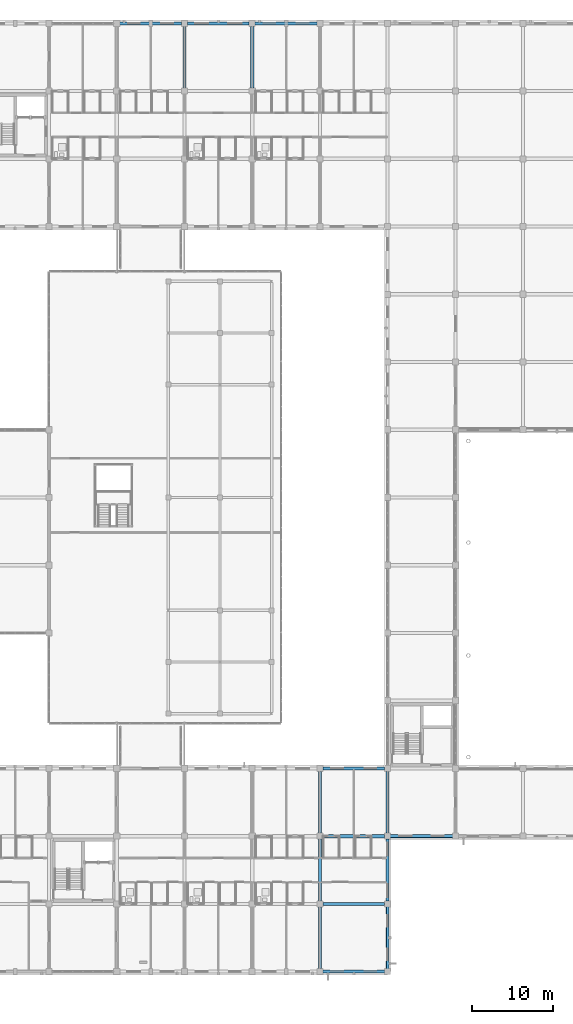
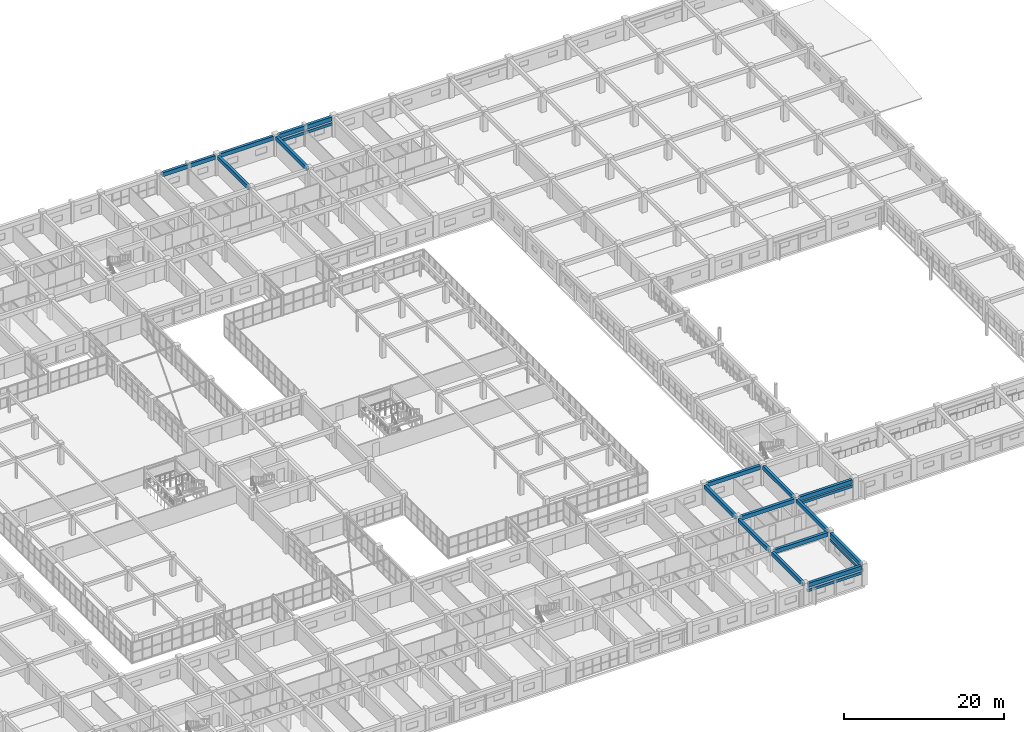
# One storey, part 124 of 200: 20 beams.
"""IFC4 building model written with IfcOpenShell, lengths in metres."""

from ifc_helpers import new_model, si_unit, direction, frame, origin, origin_2d, place, context, subcontext, project, spatial, rectangle, extrude, material, material_profile, profile_set, type_object, element, save


model = new_model("IFC4")

# Units and contexts
model_context = context("Model", 3, precision=1e-05, world=origin(), true_north=direction((0.0, 1.0)))
body_context = subcontext(model_context, "Body", "Model", "MODEL_VIEW")
ifc_project = project(units=[si_unit("LENGTHUNIT", "METRE"), si_unit("AREAUNIT", "SQUARE_METRE"), si_unit("VOLUMEUNIT", "CUBIC_METRE"), si_unit("PLANEANGLEUNIT", "RADIAN"), si_unit("MASSUNIT", "GRAM", prefix="KILO")], contexts=[model_context])

# Site, building, storey
site_placement = place(None, origin())
site = spatial("IfcSite", under=ifc_project, at=site_placement, CompositionType="ELEMENT")
building_placement = place(site_placement, origin())
building = spatial("IfcBuilding", under=site, at=building_placement, Name="Trelvath General Hospital", CompositionType="ELEMENT")
storey_placement = place(building_placement, frame((0.0, 0.0, 4.800048828125)))
storey = spatial("IfcBuildingStorey", under=building, at=storey_placement, Name="L01", CompositionType="ELEMENT", Elevation=4.800048828125)

# Beams
ifc_material_1 = material(Name="Concrete C35/45", Category="concrete")
ifc_material_profile_1 = material_profile(ifc_material_1, rectangle(XDim=0.3798828125, YDim=0.580078125, at=origin_2d()), Name="RCB380x580")
ifc_profile_set_1 = profile_set([ifc_material_profile_1], Name="Concrete C35/45")
beam_type_1 = type_object("IfcBeamType", Name="Beam RC380x580", PredefinedType="BEAM", material=ifc_profile_set_1)
for number, where, z_axis, x_axis, name in (
    (1, (109.199951171875, 109.574951171875, 2.72998046875), (0.0, 1.0, 0.0), (-1.0, 0.0, 0.0), "Grid Beam BY-113N"),
    (2, (117.60009765625, 109.574951171875, 2.72998046875), (0.0, 1.0, 0.0), (-1.0, 0.0, 0.0), "Grid Beam BY-114N"),
):
    element("IfcBeam", number, at=place(storey_placement, frame(where, z_axis=z_axis, x_axis=x_axis)), inside=storey, type_object=beam_type_1, Name=name, PredefinedType="BEAM", context=body_context, shape_type="SweptSolid", body=[
        extrude(rectangle(XDim=0.3798828125, YDim=0.580078125, at=origin_2d()), origin(), (0.0, 0.0, 1.0), 7.655029296875),
    ])
beam_1_placement = place(storey_placement, frame((126.0, 0.3701171875, 2.72998046875), z_axis=(0.0, 1.0, 0.0), x_axis=(-1.0, 0.0, 0.0)))
element("IfcBeam", 3, at=beam_1_placement, inside=storey, type_object=beam_type_1, Name="Grid Beam BY-115A", PredefinedType="BEAM", context=body_context, shape_type="SweptSolid", body=[
    extrude(rectangle(XDim=0.3798828125, YDim=0.580078125, at=origin_2d()), origin(), (0.0, 0.0, 1.0), 7.65478515625),
])
beam_2_placement = place(storey_placement, frame((126.0, 8.77490234375, 2.72998046875), z_axis=(0.0, 1.0, 0.0), x_axis=(-1.0, 0.0, 0.0)))
element("IfcBeam", 4, at=beam_2_placement, inside=storey, type_object=beam_type_1, Name="Grid Beam BY-115B", PredefinedType="BEAM", context=body_context, shape_type="SweptSolid", body=[
    extrude(rectangle(XDim=0.3798828125, YDim=0.580078125, at=origin_2d()), origin(), (0.0, 0.0, 1.0), 7.650146484375),
])
beam_3_placement = place(storey_placement, frame((126.0, 17.175048828125, 2.72998046875), z_axis=(0.0, 1.0, 0.0), x_axis=(-1.0, 0.0, 0.0)))
element("IfcBeam", 5, at=beam_3_placement, inside=storey, type_object=beam_type_1, Name="Grid Beam BY-115C", PredefinedType="BEAM", context=body_context, shape_type="SweptSolid", body=[
    extrude(rectangle(XDim=0.3798828125, YDim=0.580078125, at=origin_2d()), origin(), (0.0, 0.0, 1.0), 7.655029296875),
])
for number, where, z_axis, x_axis, name in (
    (6, (134.39990234375, 0.3701171875, 2.72998046875), (0.0, 1.0, 0.0), (-1.0, 0.0, 0.0), "Grid Beam BY-116A"),
    (7, (134.39990234375, 8.77001953125, 2.72998046875), (0.0, 1.0, 0.0), (-1.0, 0.0, 0.0), "Grid Beam BY-116B"),
):
    element("IfcBeam", number, at=place(storey_placement, frame(where, z_axis=z_axis, x_axis=x_axis)), inside=storey, type_object=beam_type_1, Name=name, PredefinedType="BEAM", context=body_context, shape_type="SweptSolid", body=[
        extrude(rectangle(XDim=0.3798828125, YDim=0.580078125, at=origin_2d()), origin(), (0.0, 0.0, 1.0), 7.659912109375),
    ])
beam_4_placement = place(storey_placement, frame((134.39990234375, 17.169921875, 2.72998046875), z_axis=(0.0, 1.0, 0.0), x_axis=(-1.0, 0.0, 0.0)))
element("IfcBeam", 8, at=beam_4_placement, inside=storey, type_object=beam_type_1, Name="Grid Beam BY-116C", PredefinedType="BEAM", context=body_context, shape_type="SweptSolid", body=[
    extrude(rectangle(XDim=0.3798828125, YDim=0.580078125, at=origin_2d()), origin(), (0.0, 0.0, 1.0), 7.66015625),
])
ifc_material_2 = material(Name="Concrete C35/45", Category="concrete")
ifc_material_profile_2 = material_profile(ifc_material_2, rectangle(XDim=0.39990234375, YDim=0.60009765625, at=origin_2d()), Name="RCB400x600")
ifc_profile_set_2 = profile_set([ifc_material_profile_2], Name="Concrete C35/45")
beam_type_2 = type_object("IfcBeamType", Name="Beam RC400x600", PredefinedType="BEAM", material=ifc_profile_set_2)
beam_5_placement = place(storey_placement, frame((101.169921875, 117.60009765625, 2.719970703125), z_axis=(1.0, 0.0, 0.0), x_axis=(0.0, 1.0, 0.0)))
element("IfcBeam", 9, at=beam_5_placement, inside=storey, type_object=beam_type_2, Name="Grid Beam BX-112O", PredefinedType="BEAM", context=body_context, shape_type="SweptSolid", body=[
    extrude(rectangle(XDim=0.39990234375, YDim=0.60009765625, at=origin_2d()), origin(), (0.0, 0.0, 1.0), 7.66015625),
])
for number, where, z_axis, x_axis, name in (
    (10, (109.570068359375, 117.60009765625, 2.719970703125), (1.0, 0.0, 0.0), (0.0, 1.0, 0.0), "Grid Beam BX-113O"),
    (11, (117.969970703125, 117.60009765625, 2.719970703125), (1.0, 0.0, 0.0), (0.0, 1.0, 0.0), "Grid Beam BX-114O"),
    (12, (126.3701171875, 0.0, 2.719970703125), (1.0, 0.0, 0.0), (0.0, 1.0, 0.0), "Grid Beam BX-115A"),
):
    element("IfcBeam", number, at=place(storey_placement, frame(where, z_axis=z_axis, x_axis=x_axis)), inside=storey, type_object=beam_type_2, Name=name, PredefinedType="BEAM", context=body_context, shape_type="SweptSolid", body=[
        extrude(rectangle(XDim=0.39990234375, YDim=0.60009765625, at=origin_2d()), origin(), (0.0, 0.0, 1.0), 7.659912109375),
    ])
for number, where, z_axis, x_axis, name in (
    (13, (126.375, 8.39990234375, 2.719970703125), (1.0, 0.0, 0.0), (0.0, 1.0, 0.0), "Grid Beam BX-115B"),
    (14, (126.375, 16.800048828125, 2.719970703125), (1.0, 0.0, 0.0), (0.0, 1.0, 0.0), "Grid Beam BX-115C"),
):
    element("IfcBeam", number, at=place(storey_placement, frame(where, z_axis=z_axis, x_axis=x_axis)), inside=storey, type_object=beam_type_2, Name=name, PredefinedType="BEAM", context=body_context, shape_type="SweptSolid", body=[
        extrude(rectangle(XDim=0.39990234375, YDim=0.60009765625, at=origin_2d()), origin(), (0.0, 0.0, 1.0), 7.655029296875),
    ])
for number, where, z_axis, x_axis, name in (
    (15, (126.3701171875, 25.199951171875, 2.719970703125), (1.0, 0.0, 0.0), (0.0, 1.0, 0.0), "Grid Beam BX-115D"),
    (16, (134.77001953125, 16.800048828125, 2.719970703125), (1.0, 0.0, 0.0), (0.0, 1.0, 0.0), "Grid Beam BX-116C"),
):
    element("IfcBeam", number, at=place(storey_placement, frame(where, z_axis=z_axis, x_axis=x_axis)), inside=storey, type_object=beam_type_2, Name=name, PredefinedType="BEAM", context=body_context, shape_type="SweptSolid", body=[
        extrude(rectangle(XDim=0.39990234375, YDim=0.60009765625, at=origin_2d()), origin(), (0.0, 0.0, 1.0), 7.659912109375),
    ])
ifc_material_3 = material(Name="Precast concrete C40/50", Category="concrete")
ifc_material_profile_3 = material_profile(ifc_material_3, rectangle(XDim=0.35009765625, YDim=0.419921875, at=origin_2d()), Name="PCL350x420")
ifc_profile_set_3 = profile_set([ifc_material_profile_3], Name="Precast concrete C40/50")
beam_type_3 = type_object("IfcBeamType", Name="Lintel PC350x420", PredefinedType="LINTEL", material=ifc_profile_set_3)
for number, where, z_axis, x_axis, name in (
    (17, (117.889892578125, 117.60009765625, 1.919921875), (1.0, 0.0, 0.0), (0.0, 1.0, 0.0), "Precast Window Brow Lintel L01-183"),
    (18, (134.110107421875, 0.0, 1.919921875), (-1.0, 0.0, 0.0), (0.0, -1.0, 0.0), "Precast Window Brow Lintel L01-184"),
    (19, (134.39990234375, 8.110107421875, 1.919921875), (0.0, -1.0, 0.0), (1.0, 0.0, 0.0), "Precast Window Brow Lintel L01-185"),
    (20, (142.510009765625, 16.800048828125, 2.02001953125), (-1.0, 0.0, 0.0), (0.0, -1.0, 0.0), "Precast Window Brow Lintel L01-190"),
):
    element("IfcBeam", number, at=place(storey_placement, frame(where, z_axis=z_axis, x_axis=x_axis)), inside=storey, type_object=beam_type_3, Name=name, PredefinedType="LINTEL", context=body_context, shape_type="SweptSolid", body=[
        extrude(rectangle(XDim=0.35009765625, YDim=0.419921875, at=origin_2d()), origin(), (0.0, 0.0, 1.0), 7.820068359375),
    ])

save(model, "model.ifc")
